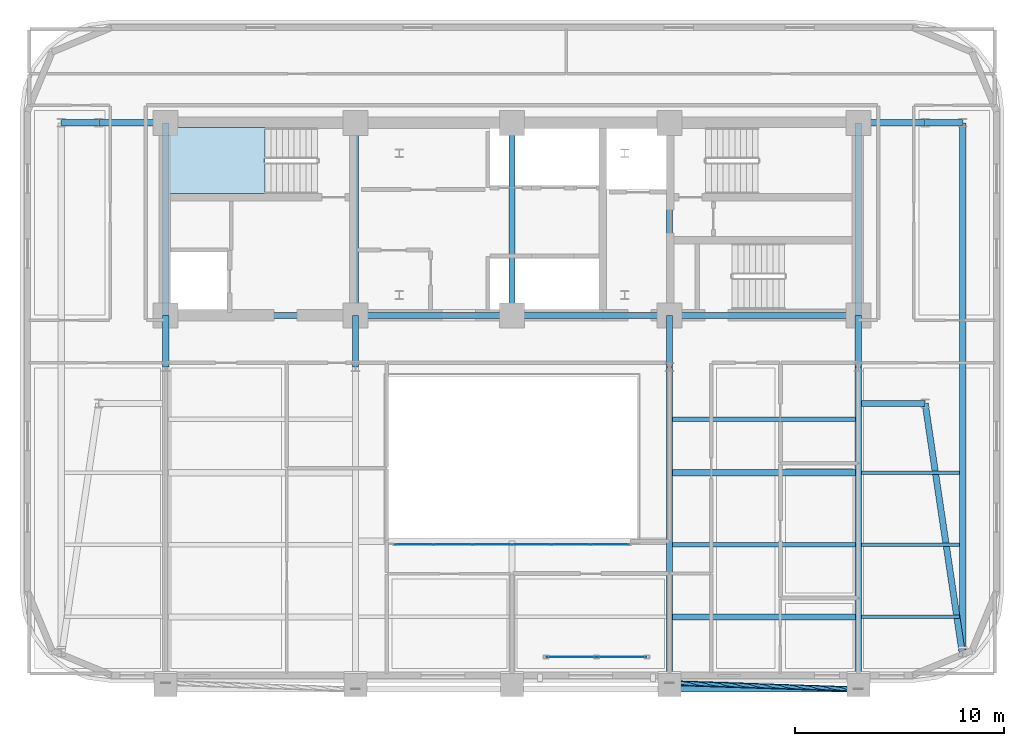
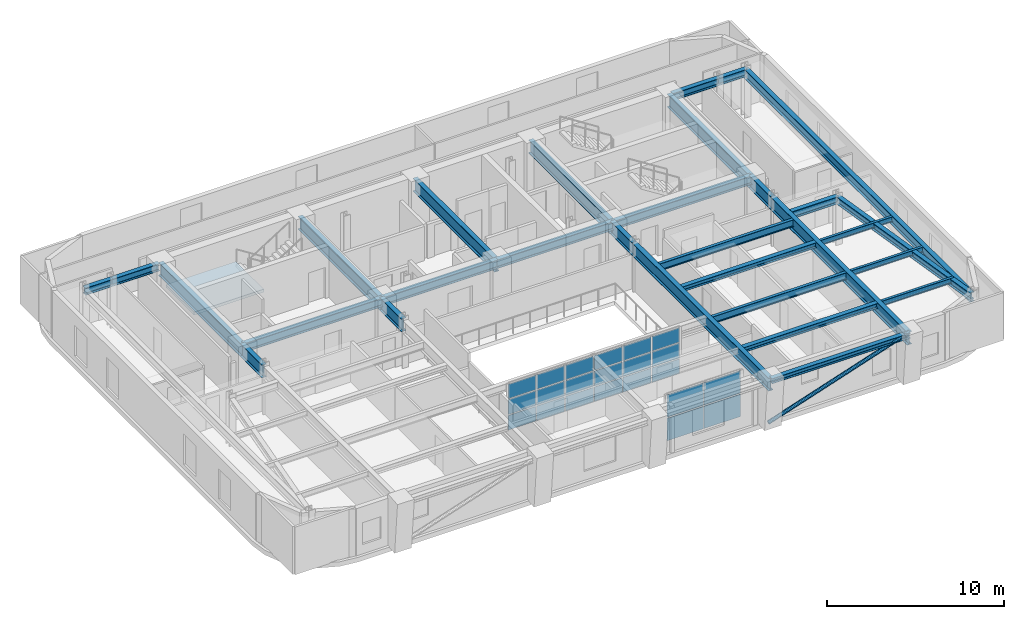
# One storey, part 3 of 13: 30 beams, 22 plates, 1 member, 1 slab, 3 elements without a shape of their own.
"""IFC4 building model written with IfcOpenShell, lengths in metres."""

from ifc_helpers import new_model, si_unit, direction, frame, origin, origin_2d, place, context, subcontext, project, spatial, polyline, rectangle, hollow_circle, i_section, outline, extrude, material, layer, layer_set, material_profile, profile_set, type_object, element, aggregate, save


model = new_model("IFC4")

# Units and contexts
model_context = context("Model", 3, precision=1e-05, world=origin(), true_north=direction((0.0, 1.0)))
body_context = subcontext(model_context, "Body", "Model", "MODEL_VIEW")
ifc_project = project(units=[si_unit("LENGTHUNIT", "METRE"), si_unit("AREAUNIT", "SQUARE_METRE"), si_unit("VOLUMEUNIT", "CUBIC_METRE"), si_unit("PLANEANGLEUNIT", "RADIAN"), si_unit("MASSUNIT", "GRAM", prefix="KILO")], contexts=[model_context])

# Site, building, storey
site_placement = place(None, origin())
site = spatial("IfcSite", under=ifc_project, at=site_placement, CompositionType="ELEMENT")
building_placement = place(site_placement, origin())
building = spatial("IfcBuilding", under=site, at=building_placement, Name="Zarnavel Station Tower", CompositionType="ELEMENT")
storey_placement = place(building_placement, frame((0.0, 0.0, 176.75)))
storey = spatial("IfcBuildingStorey", under=building, at=storey_placement, Name="L48", CompositionType="ELEMENT", Elevation=176.75)

# Member
ifc_material_1 = material(Name="Steel S355J2", Category="steel")
ifc_material_profile_1 = material_profile(ifc_material_1, hollow_circle(Radius=0.122314453125, WallThickness=0.010009765625, at=origin_2d()), Name="CHS244.5x10")
ifc_profile_set_1 = profile_set([ifc_material_profile_1], Name="Steel S355J2")
member_type = type_object("IfcMemberType", Name="DB_EXT_CHS245", PredefinedType="BRACE", material=ifc_profile_set_1)
member_placement = place(storey_placement, frame((36.35009765625, 10.2109375, 0.0), z_axis=(0.939370056938, -0.030942344867, 0.341506174795), x_axis=(0.032921607344, 0.999457936969, 0.0)))
element("IfcMember", 1, at=member_placement, inside=storey, type_object=member_type, Name="L48 Persian Exterior Diagonal Frame Brace 2", PredefinedType="BRACE", context=body_context, shape_type="SweptSolid", body=[
    extrude(hollow_circle(Radius=0.122314453125, WallThickness=0.010009765625, at=origin_2d()), origin(), (0.0, 0.0, 1.0), 9.6337890625),
])

# Beams
ifc_material_2 = material(Name="Steel S355J2", Category="steel")
ifc_material_profile_2 = material_profile(ifc_material_2, i_section(OverallWidth=0.300048828125, OverallDepth=0.360107421875, WebThickness=0.012451171875, FlangeThickness=0.0224609375, FilletRadius=0.027099609375, at=origin_2d()), Name="HEB360")
ifc_profile_set_2 = profile_set([ifc_material_profile_2], Name="Steel S355J2")
beam_type_1 = type_object("IfcBeamType", Name="EB_HEB360", PredefinedType="SPANDREL", material=ifc_profile_set_2)
beam_1_placement = place(storey_placement, frame((36.35009765625, 9.912841796875, 3.110107421875), z_axis=(1.0, 0.0, 0.0), x_axis=(0.0, 1.0, 0.0)))
element("IfcBeam", 2, at=beam_1_placement, inside=storey, type_object=beam_type_1, Name="L48 South Raked Spandrel 4", PredefinedType="SPANDREL", context=body_context, shape_type="SweptSolid", body=[
    extrude(i_section(OverallWidth=0.300048828125, OverallDepth=0.360107421875, WebThickness=0.012451171875, FlangeThickness=0.0224609375, FilletRadius=0.027099609375, at=origin_2d()), origin(), (0.0, 0.0, 1.0), 9.0498046875),
])
ifc_material_3 = material(Name="Steel S355J2", Category="steel")
ifc_material_profile_3 = material_profile(ifc_material_3, i_section(OverallWidth=0.300048828125, OverallDepth=0.35009765625, WebThickness=0.010009765625, FlangeThickness=0.017578125, FilletRadius=0.027099609375, at=origin_2d()), Name="HEA360")
ifc_profile_set_3 = profile_set([ifc_material_profile_3], Name="Steel S355J2")
beam_type_2 = type_object("IfcBeamType", Name="FB_HEA360", PredefinedType="BEAM", material=ifc_profile_set_3)
for number, where, z_axis, x_axis, name in (
    (3, (36.4951171875, 13.3701171875, 3.114990234375), (1.0, 0.0, 0.0), (0.0, 1.0, 0.0), "L48 East Bay Beam 1"),
    (4, (36.4951171875, 20.28515625, 3.114990234375), (1.0, 0.0, 0.0), (0.0, 1.0, 0.0), "L48 East Bay Beam 3"),
):
    element("IfcBeam", number, at=place(storey_placement, frame(where, z_axis=z_axis, x_axis=x_axis)), inside=storey, type_object=beam_type_2, Name=name, PredefinedType="BEAM", context=body_context, shape_type="SweptSolid", body=[
        extrude(i_section(OverallWidth=0.300048828125, OverallDepth=0.35009765625, WebThickness=0.010009765625, FlangeThickness=0.017578125, FilletRadius=0.027099609375, at=origin_2d()), origin(), (0.0, 0.0, 1.0), 8.759765625),
    ])
ifc_material_4 = material(Name="Steel S355J2", Category="steel")
ifc_material_profile_4 = material_profile(ifc_material_4, i_section(OverallWidth=0.199951171875, OverallDepth=0.5, WebThickness=0.01025390625, FlangeThickness=0.01611328125, FilletRadius=0.02099609375, at=origin_2d()), Name="IPE500")
ifc_profile_set_4 = profile_set([ifc_material_profile_4], Name="Steel S355J2")
beam_type_3 = type_object("IfcBeamType", Name="FB_IPE500", PredefinedType="BEAM", material=ifc_profile_set_4)
for number, where, z_axis, x_axis, name in (
    (5, (36.4951171875, 16.82763671875, 3.0400390625), (1.0, 0.0, 0.0), (0.0, 1.0, 0.0), "L48 East Bay Beam 2"),
    (6, (36.4951171875, 22.842529296875, 3.0400390625), (1.0, 0.0, 0.0), (0.0, 1.0, 0.0), "L48 East Bay Beam 4"),
):
    element("IfcBeam", number, at=place(storey_placement, frame(where, z_axis=z_axis, x_axis=x_axis)), inside=storey, type_object=beam_type_3, Name=name, PredefinedType="BEAM", context=body_context, shape_type="SweptSolid", body=[
        extrude(i_section(OverallWidth=0.199951171875, OverallDepth=0.5, WebThickness=0.01025390625, FlangeThickness=0.01611328125, FilletRadius=0.02099609375, at=origin_2d()), origin(), (0.0, 0.0, 1.0), 8.759765625),
    ])
ifc_material_5 = material(Name="Steel S355J2", Category="steel")
ifc_material_profile_5 = material_profile(ifc_material_5, i_section(OverallWidth=0.300048828125, OverallDepth=0.5, WebThickness=0.014404296875, FlangeThickness=0.028076171875, FilletRadius=0.027099609375, at=origin_2d()), Name="HEB500")
ifc_profile_set_5 = profile_set([ifc_material_profile_5], Name="Steel S355J2")
beam_type_4 = type_object("IfcBeamType", Name="FG_HEB500", PredefinedType="USERDEFINED", material=ifc_profile_set_5)
beam_2_placement = place(storey_placement, frame((7.199951171875, 37.050048828125, 3.0400390625), z_axis=(1.0, 0.0, 0.0), x_axis=(0.0, 1.0, 0.0)))
element("IfcBeam", 7, at=beam_2_placement, inside=storey, type_object=beam_type_4, Name="L48 West Wing North Tie 1", ObjectType="GIRDER", PredefinedType="USERDEFINED", context=body_context, shape_type="SweptSolid", body=[
    extrude(i_section(OverallWidth=0.300048828125, OverallDepth=0.5, WebThickness=0.014404296875, FlangeThickness=0.028076171875, FilletRadius=0.027099609375, at=origin_2d()), origin(), (0.0, 0.0, 1.0), 1.800048828125),
])
beam_3_placement = place(storey_placement, frame((9.0, 37.050048828125, 3.0400390625), z_axis=(1.0, 0.0, 0.0), x_axis=(0.0, 1.0, 0.0)))
element("IfcBeam", 8, at=beam_3_placement, inside=storey, type_object=beam_type_4, Name="L48 West Wing North Tie 2", ObjectType="GIRDER", PredefinedType="USERDEFINED", context=body_context, shape_type="SweptSolid", body=[
    extrude(i_section(OverallWidth=0.300048828125, OverallDepth=0.5, WebThickness=0.014404296875, FlangeThickness=0.028076171875, FilletRadius=0.027099609375, at=origin_2d()), origin(), (0.0, 0.0, 1.0), 3.054931640625),
])
for number, where, z_axis, x_axis, name in (
    (9, (45.544921875, 23.60009765625, 3.0400390625), (1.0, 0.0, 0.0), (0.0, 1.0, 0.0), "L48 East Wing South Tie 1"),
    (10, (45.544921875, 37.050048828125, 3.0400390625), (1.0, 0.0, 0.0), (0.0, 1.0, 0.0), "L48 East Wing North Tie 1"),
):
    element("IfcBeam", number, at=place(storey_placement, frame(where, z_axis=z_axis, x_axis=x_axis)), inside=storey, type_object=beam_type_4, Name=name, ObjectType="GIRDER", PredefinedType="USERDEFINED", context=body_context, shape_type="SweptSolid", body=[
        extrude(i_section(OverallWidth=0.300048828125, OverallDepth=0.5, WebThickness=0.014404296875, FlangeThickness=0.028076171875, FilletRadius=0.027099609375, at=origin_2d()), origin(), (0.0, 0.0, 1.0), 3.05517578125),
    ])
beam_4_placement = place(storey_placement, frame((48.60009765625, 23.60009765625, 3.0400390625), z_axis=(0.147057600106, -0.989127930174, 0.0), x_axis=(0.989127930174, 0.147057600106, 0.0)))
element("IfcBeam", 11, at=beam_4_placement, inside=storey, type_object=beam_type_4, Name="L48 East Wing South Tie 2", ObjectType="GIRDER", PredefinedType="USERDEFINED", context=body_context, shape_type="SweptSolid", body=[
    extrude(i_section(OverallWidth=0.300048828125, OverallDepth=0.5, WebThickness=0.014404296875, FlangeThickness=0.028076171875, FilletRadius=0.027099609375, at=origin_2d()), origin(), (0.0, 0.0, 1.0), 12.23876953125),
])
beam_5_placement = place(storey_placement, frame((48.60009765625, 37.050048828125, 3.0400390625), z_axis=(1.0, 0.0, 0.0), x_axis=(0.0, 1.0, 0.0)))
element("IfcBeam", 12, at=beam_5_placement, inside=storey, type_object=beam_type_4, Name="L48 East Wing North Tie 2", ObjectType="GIRDER", PredefinedType="USERDEFINED", context=body_context, shape_type="SweptSolid", body=[
    extrude(i_section(OverallWidth=0.300048828125, OverallDepth=0.5, WebThickness=0.014404296875, FlangeThickness=0.028076171875, FilletRadius=0.027099609375, at=origin_2d()), origin(), (0.0, 0.0, 1.0), 1.7998046875),
])
ifc_material_6 = material(Name="Steel S355J2", Category="steel")
ifc_material_profile_6 = material_profile(ifc_material_6, i_section(OverallWidth=0.300048828125, OverallDepth=0.60009765625, WebThickness=0.015380859375, FlangeThickness=0.030029296875, FilletRadius=0.027099609375, at=origin_2d()), Name="HEB600")
ifc_profile_set_6 = profile_set([ifc_material_profile_6], Name="Steel S355J2")
beam_type_5 = type_object("IfcBeamType", Name="FG_HEB600", PredefinedType="USERDEFINED", material=ifc_profile_set_6)
beam_6_placement = place(storey_placement, frame((12.199951171875, 27.820068359375, 2.989990234375), z_axis=(1.0, 0.0, 0.0), x_axis=(0.0, 1.0, 0.0)))
element("IfcBeam", 13, at=beam_6_placement, inside=storey, type_object=beam_type_5, Name="L48 Core Front Coupling Beam 1", ObjectType="GIRDER", PredefinedType="USERDEFINED", context=body_context, shape_type="SweptSolid", body=[
    extrude(i_section(OverallWidth=0.300048828125, OverallDepth=0.60009765625, WebThickness=0.015380859375, FlangeThickness=0.030029296875, FilletRadius=0.027099609375, at=origin_2d()), origin(), (0.0, 0.0, 1.0), 9.10009765625),
])
beam_7_placement = place(storey_placement, frame((21.300048828125, 27.820068359375, 2.989990234375), z_axis=(1.0, 0.0, 0.0), x_axis=(0.0, 1.0, 0.0)))
element("IfcBeam", 14, at=beam_7_placement, inside=storey, type_object=beam_type_5, Name="L48 Core Front Coupling Beam 2", ObjectType="GIRDER", PredefinedType="USERDEFINED", context=body_context, shape_type="SweptSolid", body=[
    extrude(i_section(OverallWidth=0.300048828125, OverallDepth=0.60009765625, WebThickness=0.015380859375, FlangeThickness=0.030029296875, FilletRadius=0.027099609375, at=origin_2d()), origin(), (0.0, 0.0, 1.0), 7.5),
])
beam_8_placement = place(storey_placement, frame((28.800048828125, 27.820068359375, 2.989990234375), z_axis=(1.0, 0.0, 0.0), x_axis=(0.0, 1.0, 0.0)))
element("IfcBeam", 15, at=beam_8_placement, inside=storey, type_object=beam_type_5, Name="L48 Core Front Coupling Beam 3", ObjectType="GIRDER", PredefinedType="USERDEFINED", context=body_context, shape_type="SweptSolid", body=[
    extrude(i_section(OverallWidth=0.300048828125, OverallDepth=0.60009765625, WebThickness=0.015380859375, FlangeThickness=0.030029296875, FilletRadius=0.027099609375, at=origin_2d()), origin(), (0.0, 0.0, 1.0), 7.550048828125),
])
beam_9_placement = place(storey_placement, frame((36.35009765625, 27.820068359375, 2.989990234375), z_axis=(1.0, 0.0, 0.0), x_axis=(0.0, 1.0, 0.0)))
element("IfcBeam", 16, at=beam_9_placement, inside=storey, type_object=beam_type_5, Name="L48 Core Front Coupling Beam 4", ObjectType="GIRDER", PredefinedType="USERDEFINED", context=body_context, shape_type="SweptSolid", body=[
    extrude(i_section(OverallWidth=0.300048828125, OverallDepth=0.60009765625, WebThickness=0.015380859375, FlangeThickness=0.030029296875, FilletRadius=0.027099609375, at=origin_2d()), origin(), (0.0, 0.0, 1.0), 9.0498046875),
])
ifc_material_7 = material(Name="Steel S355J2", Category="steel")
ifc_material_profile_7 = material_profile(ifc_material_7, i_section(OverallWidth=0.300048828125, OverallDepth=0.64990234375, WebThickness=0.01611328125, FlangeThickness=0.031005859375, FilletRadius=0.027099609375, at=origin_2d()), Name="HEB650")
ifc_profile_set_7 = profile_set([ifc_material_profile_7], Name="Steel S355J2")
beam_type_6 = type_object("IfcBeamType", Name="FG_HEB650", PredefinedType="USERDEFINED", material=ifc_profile_set_7)
beam_10_placement = place(storey_placement, frame((50.39990234375, 11.494384765625, 2.965087890625), z_axis=(0.0, 1.0, 0.0), x_axis=(-1.0, 0.0, 0.0)))
element("IfcBeam", 17, at=beam_10_placement, inside=storey, type_object=beam_type_6, Name="L48 Wing NS Girder 2", ObjectType="GIRDER", PredefinedType="USERDEFINED", context=body_context, shape_type="SweptSolid", body=[
    extrude(i_section(OverallWidth=0.300048828125, OverallDepth=0.64990234375, WebThickness=0.01611328125, FlangeThickness=0.031005859375, FilletRadius=0.027099609375, at=origin_2d()), origin(), (0.0, 0.0, 1.0), 25.5556640625),
])
ifc_material_8 = material(Name="Steel S355J2", Category="steel")
ifc_material_profile_8 = material_profile(ifc_material_8, i_section(OverallWidth=0.300048828125, OverallDepth=0.89990234375, WebThickness=0.0185546875, FlangeThickness=0.034912109375, FilletRadius=0.030029296875, at=origin_2d()), Name="HEB900")
ifc_profile_set_8 = profile_set([ifc_material_profile_8], Name="Steel S355J2")
beam_type_7 = type_object("IfcBeamType", Name="FG_HEB900", PredefinedType="USERDEFINED", material=ifc_profile_set_8)
for number, where, z_axis, x_axis, name in (
    (18, (12.199951171875, 25.35009765625, 2.840087890625), (0.0, 1.0, 0.0), (-1.0, 0.0, 0.0), "L48 Inner-Zone NS Girder 1"),
    (19, (21.300048828125, 25.35009765625, 2.840087890625), (0.0, 1.0, 0.0), (-1.0, 0.0, 0.0), "L48 Inner-Zone NS Girder 2"),
):
    element("IfcBeam", number, at=place(storey_placement, frame(where, z_axis=z_axis, x_axis=x_axis)), inside=storey, type_object=beam_type_7, Name=name, ObjectType="GIRDER", PredefinedType="USERDEFINED", context=body_context, shape_type="SweptSolid", body=[
        extrude(i_section(OverallWidth=0.300048828125, OverallDepth=0.89990234375, WebThickness=0.0185546875, FlangeThickness=0.034912109375, FilletRadius=0.030029296875, at=origin_2d()), origin(), (0.0, 0.0, 1.0), 2.469970703125),
    ])
beam_11_placement = place(storey_placement, frame((36.35009765625, 9.912841796875, 2.840087890625), z_axis=(0.0, 1.0, 0.0), x_axis=(-1.0, 0.0, 0.0)))
element("IfcBeam", 20, at=beam_11_placement, inside=storey, type_object=beam_type_7, Name="L48 South-Zone NS Girder 4", ObjectType="GIRDER", PredefinedType="USERDEFINED", context=body_context, shape_type="SweptSolid", body=[
    extrude(i_section(OverallWidth=0.300048828125, OverallDepth=0.89990234375, WebThickness=0.0185546875, FlangeThickness=0.034912109375, FilletRadius=0.030029296875, at=origin_2d()), origin(), (0.0, 0.0, 1.0), 15.437255859375),
])
beam_12_placement = place(storey_placement, frame((36.35009765625, 25.35009765625, 2.840087890625), z_axis=(0.0, 1.0, 0.0), x_axis=(-1.0, 0.0, 0.0)))
element("IfcBeam", 21, at=beam_12_placement, inside=storey, type_object=beam_type_7, Name="L48 Inner-Zone NS Girder 4", ObjectType="GIRDER", PredefinedType="USERDEFINED", context=body_context, shape_type="SweptSolid", body=[
    extrude(i_section(OverallWidth=0.300048828125, OverallDepth=0.89990234375, WebThickness=0.0185546875, FlangeThickness=0.034912109375, FilletRadius=0.030029296875, at=origin_2d()), origin(), (0.0, 0.0, 1.0), 2.469970703125),
])
beam_13_placement = place(storey_placement, frame((45.39990234375, 9.912841796875, 2.840087890625), z_axis=(0.0, 1.0, 0.0), x_axis=(-1.0, 0.0, 0.0)))
element("IfcBeam", 22, at=beam_13_placement, inside=storey, type_object=beam_type_7, Name="L48 South-Zone NS Girder 5", ObjectType="GIRDER", PredefinedType="USERDEFINED", context=body_context, shape_type="SweptSolid", body=[
    extrude(i_section(OverallWidth=0.300048828125, OverallDepth=0.89990234375, WebThickness=0.0185546875, FlangeThickness=0.034912109375, FilletRadius=0.030029296875, at=origin_2d()), origin(), (0.0, 0.0, 1.0), 15.437255859375),
])
beam_14_placement = place(storey_placement, frame((45.39990234375, 25.35009765625, 2.840087890625), z_axis=(0.0, 1.0, 0.0), x_axis=(-1.0, 0.0, 0.0)))
element("IfcBeam", 23, at=beam_14_placement, inside=storey, type_object=beam_type_7, Name="L48 Inner-Zone NS Girder 5", ObjectType="GIRDER", PredefinedType="USERDEFINED", context=body_context, shape_type="SweptSolid", body=[
    extrude(i_section(OverallWidth=0.300048828125, OverallDepth=0.89990234375, WebThickness=0.0185546875, FlangeThickness=0.034912109375, FilletRadius=0.030029296875, at=origin_2d()), origin(), (0.0, 0.0, 1.0), 2.469970703125),
])
ifc_material_9 = material(Name="Steel S355J2", Category="steel")
ifc_material_profile_9 = material_profile(ifc_material_9, i_section(OverallWidth=0.169921875, OverallDepth=0.360107421875, WebThickness=0.008056640625, FlangeThickness=0.0126953125, FilletRadius=0.01806640625, at=origin_2d()), Name="IPE360")
ifc_profile_set_9 = profile_set([ifc_material_profile_9], Name="Steel S355J2")
beam_type_8 = type_object("IfcBeamType", Name="FJ_IPE360", PredefinedType="JOIST", material=ifc_profile_set_9)
for number, where, z_axis, x_axis, name in (
    (24, (45.544921875, 13.3701171875, 3.110107421875), (1.0, 0.0, 0.0), (0.0, 1.0, 0.0), "L48 East Wing Joist 1"),
    (25, (45.544921875, 16.82763671875, 3.110107421875), (1.0, 0.0, 0.0), (0.0, 1.0, 0.0), "L48 East Wing Joist 2"),
    (26, (45.544921875, 20.28515625, 3.110107421875), (1.0, 0.0, 0.0), (0.0, 1.0, 0.0), "L48 East Wing Joist 3"),
):
    element("IfcBeam", number, at=place(storey_placement, frame(where, z_axis=z_axis, x_axis=x_axis)), inside=storey, type_object=beam_type_8, Name=name, PredefinedType="JOIST", context=body_context, shape_type="SweptSolid", body=[
        extrude(i_section(OverallWidth=0.169921875, OverallDepth=0.360107421875, WebThickness=0.008056640625, FlangeThickness=0.0126953125, FilletRadius=0.01806640625, at=origin_2d()), origin(), (0.0, 0.0, 1.0), 4.7099609375),
    ])
ifc_material_10 = material(Name="Steel S460M", Category="steel")
ifc_material_profile_10 = material_profile(ifc_material_10, i_section(OverallWidth=0.302001953125, OverallDepth=0.909912109375, WebThickness=0.02099609375, FlangeThickness=0.0400390625, FilletRadius=0.030029296875, at=origin_2d()), Name="HEM900")
ifc_profile_set_10 = profile_set([ifc_material_profile_10], Name="Steel S460M")
beam_type_9 = type_object("IfcBeamType", Name="TG_HEM900", PredefinedType="USERDEFINED", material=ifc_profile_set_10)
for number, where, z_axis, x_axis, name in (
    (27, (12.199951171875, 27.820068359375, 2.8349609375), (0.0, 1.0, 0.0), (-1.0, 0.0, 0.0), "L48 Core Spine Coupling Girder 1"),
    (28, (21.300048828125, 27.820068359375, 2.8349609375), (0.0, 1.0, 0.0), (-1.0, 0.0, 0.0), "L48 Core Spine Coupling Girder 2"),
    (29, (28.800048828125, 27.820068359375, 2.8349609375), (0.0, 1.0, 0.0), (-1.0, 0.0, 0.0), "L48 Core Spine Coupling Girder 3"),
    (30, (36.35009765625, 27.820068359375, 2.8349609375), (0.0, 1.0, 0.0), (-1.0, 0.0, 0.0), "L48 Core Spine Coupling Girder 4"),
    (31, (45.39990234375, 27.820068359375, 2.8349609375), (0.0, 1.0, 0.0), (-1.0, 0.0, 0.0), "L48 Core Spine Coupling Girder 5"),
):
    element("IfcBeam", number, at=place(storey_placement, frame(where, z_axis=z_axis, x_axis=x_axis)), inside=storey, type_object=beam_type_9, Name=name, ObjectType="GIRDER", PredefinedType="USERDEFINED", context=body_context, shape_type="SweptSolid", body=[
        extrude(i_section(OverallWidth=0.302001953125, OverallDepth=0.909912109375, WebThickness=0.02099609375, FlangeThickness=0.0400390625, FilletRadius=0.030029296875, at=origin_2d()), origin(), (0.0, 0.0, 1.0), 9.22998046875),
    ])

# Curtain wall, plates
ifc_material_11 = material(Name="Aluminium Dark Anodised and Solar-Control Glass", Category="aluminium")
ifc_layer_1 = layer(ifc_material_11, 0.179931640625)
ifc_layer_set_1 = layer_set([ifc_layer_1], Name="CWS4")
curtain_wall_type_1 = type_object("IfcCurtainWallType", Name="CWS4", PredefinedType="NOTDEFINED", material=ifc_layer_set_1)
curtain_wall_1_placement = place(storey_placement, origin())
curtain_wall_1 = element("IfcCurtainWall", 32, at=curtain_wall_1_placement, inside=storey, type_object=curtain_wall_type_1, Name="L48 Curtain Wall CWS4-L48-AS", PredefinedType="NOTDEFINED")
ifc_material_12 = material(Name="Double Low-E Dark Solar-Control Glass", Category="glass")
ifc_layer_2 = layer(ifc_material_12, 0.031982421875)
ifc_layer_set_2 = layer_set([ifc_layer_2], Name="CWS4_PNL")
plate_type_1 = type_object("IfcPlateType", Name="CWS4_PNL", PredefinedType="CURTAIN_PANEL", material=ifc_layer_set_2)
plate_1_placement = place(storey_placement, frame((24.106689453125, 16.85009765625, 0.06005859375), z_axis=(0.0, 0.0, 1.0), x_axis=(1.0, 0.0, 0.0)))
plate_1 = element("IfcPlate", 33, at=plate_1_placement, type_object=plate_type_1, Name="CW4 panel 1.1", PredefinedType="CURTAIN_PANEL", context=body_context, shape_type="SweptSolid", body=[
    extrude(rectangle(XDim=1.793212890625, YDim=0.028076171875, at=origin_2d()), origin(), (0.0, 0.0, 1.0), 1.006591796875),
])
plate_2_placement = place(storey_placement, frame((24.106689453125, 16.85009765625, 1.126708984375), z_axis=(0.0, 0.0, 1.0), x_axis=(1.0, 0.0, 0.0)))
plate_2 = element("IfcPlate", 34, at=plate_2_placement, type_object=plate_type_1, Name="CW4 panel 1.2", PredefinedType="CURTAIN_PANEL", context=body_context, shape_type="SweptSolid", body=[
    extrude(rectangle(XDim=1.793212890625, YDim=0.028076171875, at=origin_2d()), origin(), (0.0, 0.0, 1.0), 1.03662109375),
])
plate_3_placement = place(storey_placement, frame((24.106689453125, 16.85009765625, 2.22314453125), z_axis=(0.0, 0.0, 1.0), x_axis=(1.0, 0.0, 0.0)))
plate_3 = element("IfcPlate", 35, at=plate_3_placement, type_object=plate_type_1, Name="CW4 panel 1.3", PredefinedType="CURTAIN_PANEL", context=body_context, shape_type="SweptSolid", body=[
    extrude(rectangle(XDim=1.793212890625, YDim=0.028076171875, at=origin_2d()), origin(), (0.0, 0.0, 1.0), 1.006591796875),
])
plate_4_placement = place(storey_placement, frame((25.97509765625, 16.85009765625, 0.06005859375), z_axis=(0.0, 0.0, 1.0), x_axis=(1.0, 0.0, 0.0)))
plate_4 = element("IfcPlate", 36, at=plate_4_placement, type_object=plate_type_1, Name="CW4 panel 2.1", PredefinedType="CURTAIN_PANEL", context=body_context, shape_type="SweptSolid", body=[
    extrude(rectangle(XDim=1.8232421875, YDim=0.028076171875, at=origin_2d()), origin(), (0.0, 0.0, 1.0), 1.006591796875),
])
plate_5_placement = place(storey_placement, frame((25.97509765625, 16.85009765625, 1.126708984375), z_axis=(0.0, 0.0, 1.0), x_axis=(1.0, 0.0, 0.0)))
plate_5 = element("IfcPlate", 37, at=plate_5_placement, type_object=plate_type_1, Name="CW4 panel 2.2", PredefinedType="CURTAIN_PANEL", context=body_context, shape_type="SweptSolid", body=[
    extrude(rectangle(XDim=1.8232421875, YDim=0.028076171875, at=origin_2d()), origin(), (0.0, 0.0, 1.0), 1.03662109375),
])
plate_6_placement = place(storey_placement, frame((25.97509765625, 16.85009765625, 2.22314453125), z_axis=(0.0, 0.0, 1.0), x_axis=(1.0, 0.0, 0.0)))
plate_6 = element("IfcPlate", 38, at=plate_6_placement, type_object=plate_type_1, Name="CW4 panel 2.3", PredefinedType="CURTAIN_PANEL", context=body_context, shape_type="SweptSolid", body=[
    extrude(rectangle(XDim=1.8232421875, YDim=0.028076171875, at=origin_2d()), origin(), (0.0, 0.0, 1.0), 1.006591796875),
])
plate_7_placement = place(storey_placement, frame((27.8583984375, 16.85009765625, 0.06005859375), z_axis=(0.0, 0.0, 1.0), x_axis=(1.0, 0.0, 0.0)))
plate_7 = element("IfcPlate", 39, at=plate_7_placement, type_object=plate_type_1, Name="CW4 panel 3.1", PredefinedType="CURTAIN_PANEL", context=body_context, shape_type="SweptSolid", body=[
    extrude(rectangle(XDim=1.8232421875, YDim=0.028076171875, at=origin_2d()), origin(), (0.0, 0.0, 1.0), 1.006591796875),
])
plate_8_placement = place(storey_placement, frame((27.8583984375, 16.85009765625, 1.126708984375), z_axis=(0.0, 0.0, 1.0), x_axis=(1.0, 0.0, 0.0)))
plate_8 = element("IfcPlate", 40, at=plate_8_placement, type_object=plate_type_1, Name="CW4 panel 3.2", PredefinedType="CURTAIN_PANEL", context=body_context, shape_type="SweptSolid", body=[
    extrude(rectangle(XDim=1.8232421875, YDim=0.028076171875, at=origin_2d()), origin(), (0.0, 0.0, 1.0), 1.03662109375),
])
plate_9_placement = place(storey_placement, frame((27.8583984375, 16.85009765625, 2.22314453125), z_axis=(0.0, 0.0, 1.0), x_axis=(1.0, 0.0, 0.0)))
plate_9 = element("IfcPlate", 41, at=plate_9_placement, type_object=plate_type_1, Name="CW4 panel 3.3", PredefinedType="CURTAIN_PANEL", context=body_context, shape_type="SweptSolid", body=[
    extrude(rectangle(XDim=1.8232421875, YDim=0.028076171875, at=origin_2d()), origin(), (0.0, 0.0, 1.0), 1.006591796875),
])
plate_10_placement = place(storey_placement, frame((29.74169921875, 16.85009765625, 0.06005859375), z_axis=(0.0, 0.0, 1.0), x_axis=(1.0, 0.0, 0.0)))
plate_10 = element("IfcPlate", 42, at=plate_10_placement, type_object=plate_type_1, Name="CW4 panel 4.1", PredefinedType="CURTAIN_PANEL", context=body_context, shape_type="SweptSolid", body=[
    extrude(rectangle(XDim=1.8232421875, YDim=0.028076171875, at=origin_2d()), origin(), (0.0, 0.0, 1.0), 1.006591796875),
])
plate_11_placement = place(storey_placement, frame((29.74169921875, 16.85009765625, 1.126708984375), z_axis=(0.0, 0.0, 1.0), x_axis=(1.0, 0.0, 0.0)))
plate_11 = element("IfcPlate", 43, at=plate_11_placement, type_object=plate_type_1, Name="CW4 panel 4.2", PredefinedType="CURTAIN_PANEL", context=body_context, shape_type="SweptSolid", body=[
    extrude(rectangle(XDim=1.8232421875, YDim=0.028076171875, at=origin_2d()), origin(), (0.0, 0.0, 1.0), 1.03662109375),
])
plate_12_placement = place(storey_placement, frame((29.74169921875, 16.85009765625, 2.22314453125), z_axis=(0.0, 0.0, 1.0), x_axis=(1.0, 0.0, 0.0)))
plate_12 = element("IfcPlate", 44, at=plate_12_placement, type_object=plate_type_1, Name="CW4 panel 4.3", PredefinedType="CURTAIN_PANEL", context=body_context, shape_type="SweptSolid", body=[
    extrude(rectangle(XDim=1.8232421875, YDim=0.028076171875, at=origin_2d()), origin(), (0.0, 0.0, 1.0), 1.006591796875),
])
plate_13_placement = place(storey_placement, frame((31.625, 16.85009765625, 0.06005859375), z_axis=(0.0, 0.0, 1.0), x_axis=(1.0, 0.0, 0.0)))
plate_13 = element("IfcPlate", 45, at=plate_13_placement, type_object=plate_type_1, Name="CW4 panel 5.1", PredefinedType="CURTAIN_PANEL", context=body_context, shape_type="SweptSolid", body=[
    extrude(rectangle(XDim=1.8232421875, YDim=0.028076171875, at=origin_2d()), origin(), (0.0, 0.0, 1.0), 1.006591796875),
])
plate_14_placement = place(storey_placement, frame((31.625, 16.85009765625, 1.126708984375), z_axis=(0.0, 0.0, 1.0), x_axis=(1.0, 0.0, 0.0)))
plate_14 = element("IfcPlate", 46, at=plate_14_placement, type_object=plate_type_1, Name="CW4 panel 5.2", PredefinedType="CURTAIN_PANEL", context=body_context, shape_type="SweptSolid", body=[
    extrude(rectangle(XDim=1.8232421875, YDim=0.028076171875, at=origin_2d()), origin(), (0.0, 0.0, 1.0), 1.03662109375),
])
plate_15_placement = place(storey_placement, frame((31.625, 16.85009765625, 2.22314453125), z_axis=(0.0, 0.0, 1.0), x_axis=(1.0, 0.0, 0.0)))
plate_15 = element("IfcPlate", 47, at=plate_15_placement, type_object=plate_type_1, Name="CW4 panel 5.3", PredefinedType="CURTAIN_PANEL", context=body_context, shape_type="SweptSolid", body=[
    extrude(rectangle(XDim=1.8232421875, YDim=0.028076171875, at=origin_2d()), origin(), (0.0, 0.0, 1.0), 1.006591796875),
])
plate_16_placement = place(storey_placement, frame((33.493408203125, 16.85009765625, 0.06005859375), z_axis=(0.0, 0.0, 1.0), x_axis=(1.0, 0.0, 0.0)))
plate_16 = element("IfcPlate", 48, at=plate_16_placement, type_object=plate_type_1, Name="CW4 panel 6.1", PredefinedType="CURTAIN_PANEL", context=body_context, shape_type="SweptSolid", body=[
    extrude(rectangle(XDim=1.793212890625, YDim=0.028076171875, at=origin_2d()), origin(), (0.0, 0.0, 1.0), 1.006591796875),
])
plate_17_placement = place(storey_placement, frame((33.493408203125, 16.85009765625, 1.126708984375), z_axis=(0.0, 0.0, 1.0), x_axis=(1.0, 0.0, 0.0)))
plate_17 = element("IfcPlate", 49, at=plate_17_placement, type_object=plate_type_1, Name="CW4 panel 6.2", PredefinedType="CURTAIN_PANEL", context=body_context, shape_type="SweptSolid", body=[
    extrude(rectangle(XDim=1.793212890625, YDim=0.028076171875, at=origin_2d()), origin(), (0.0, 0.0, 1.0), 1.03662109375),
])
plate_18_placement = place(storey_placement, frame((33.493408203125, 16.85009765625, 2.22314453125), z_axis=(0.0, 0.0, 1.0), x_axis=(1.0, 0.0, 0.0)))
plate_18 = element("IfcPlate", 50, at=plate_18_placement, type_object=plate_type_1, Name="CW4 panel 6.3", PredefinedType="CURTAIN_PANEL", context=body_context, shape_type="SweptSolid", body=[
    extrude(rectangle(XDim=1.793212890625, YDim=0.028076171875, at=origin_2d()), origin(), (0.0, 0.0, 1.0), 1.006591796875),
])
aggregate(curtain_wall_1, [plate_1, plate_2, plate_3, plate_4, plate_5, plate_6, plate_7, plate_8, plate_9, plate_10, plate_11, plate_12, plate_13, plate_14, plate_15, plate_16, plate_17, plate_18])

ifc_material_13 = material(Name="Aluminium Dark Anodised and Solar-Control Glass", Category="aluminium")
ifc_layer_3 = layer(ifc_material_13, 0.179931640625)
ifc_layer_set_3 = layer_set([ifc_layer_3], Name="CWS6")
curtain_wall_type_2 = type_object("IfcCurtainWallType", Name="CWS6", PredefinedType="NOTDEFINED", material=ifc_layer_set_3)
curtain_wall_2_placement = place(storey_placement, origin())
curtain_wall_2 = element("IfcCurtainWall", 51, at=curtain_wall_2_placement, inside=storey, type_object=curtain_wall_type_2, Name="L48 Curtain Wall CWS6-LOG-L48", PredefinedType="NOTDEFINED")
ifc_material_14 = material(Name="Double Low-E Dark Solar-Control Glass", Category="glass")
ifc_layer_4 = layer(ifc_material_14, 0.0380859375)
ifc_layer_set_4 = layer_set([ifc_layer_4], Name="CWS6_PNL")
plate_type_2 = type_object("IfcPlateType", Name="CWS6_PNL", PredefinedType="CURTAIN_PANEL", material=ifc_layer_set_4)
plate_19_placement = place(storey_placement, frame((31.639892578125, 11.449951171875, 0.06005859375), z_axis=(0.0, 0.0, 1.0), x_axis=(1.0, 0.0, 0.0)))
plate_19 = element("IfcPlate", 52, at=plate_19_placement, type_object=plate_type_2, Name="CW6 panel 1.1", PredefinedType="CURTAIN_PANEL", context=body_context, shape_type="SweptSolid", body=[
    extrude(rectangle(XDim=2.360107421875, YDim=0.028076171875, at=origin_2d()), origin(), (0.0, 0.0, 1.0), 1.554931640625),
])
plate_20_placement = place(storey_placement, frame((31.639892578125, 11.449951171875, 1.6748046875), z_axis=(0.0, 0.0, 1.0), x_axis=(1.0, 0.0, 0.0)))
plate_20 = element("IfcPlate", 53, at=plate_20_placement, type_object=plate_type_2, Name="CW6 panel 1.2", PredefinedType="CURTAIN_PANEL", context=body_context, shape_type="SweptSolid", body=[
    extrude(rectangle(XDim=2.360107421875, YDim=0.028076171875, at=origin_2d()), origin(), (0.0, 0.0, 1.0), 1.554931640625),
])
plate_21_placement = place(storey_placement, frame((34.06005859375, 11.449951171875, 0.06005859375), z_axis=(0.0, 0.0, 1.0), x_axis=(1.0, 0.0, 0.0)))
plate_21 = element("IfcPlate", 54, at=plate_21_placement, type_object=plate_type_2, Name="CW6 panel 2.1", PredefinedType="CURTAIN_PANEL", context=body_context, shape_type="SweptSolid", body=[
    extrude(rectangle(XDim=2.360107421875, YDim=0.028076171875, at=origin_2d()), origin(), (0.0, 0.0, 1.0), 1.554931640625),
])
plate_22_placement = place(storey_placement, frame((34.06005859375, 11.449951171875, 1.6748046875), z_axis=(0.0, 0.0, 1.0), x_axis=(1.0, 0.0, 0.0)))
plate_22 = element("IfcPlate", 55, at=plate_22_placement, type_object=plate_type_2, Name="CW6 panel 2.2", PredefinedType="CURTAIN_PANEL", context=body_context, shape_type="SweptSolid", body=[
    extrude(rectangle(XDim=2.360107421875, YDim=0.028076171875, at=origin_2d()), origin(), (0.0, 0.0, 1.0), 1.554931640625),
])
aggregate(curtain_wall_2, [plate_19, plate_20, plate_21, plate_22])

# Stair, slab
ifc_material_15 = material(Name="Concrete C45/55", Category="concrete")
stair_type = type_object("IfcStairType", Name="ST_CORE_150", PredefinedType="HALF_TURN_STAIR", material=ifc_material_15)
stair_placement = place(storey_placement, origin())
stair = element("IfcStair", 56, at=stair_placement, inside=storey, type_object=stair_type, Name="L48 Core Exit Stair ST1", PredefinedType="HALF_TURN_STAIR")
ifc_material_16 = material(Name="Concrete C45/55", Category="concrete")
ifc_layer_5 = layer(ifc_material_16, 0.199951171875)
ifc_layer_set_5 = layer_set([ifc_layer_5], Name="SL_STAIR_LAND_200")
slab_type = type_object("IfcSlabType", Name="SL_STAIR_LAND_200", PredefinedType="LANDING", material=ifc_layer_set_5)
slab_placement = place(storey_placement, frame((0.0, 0.0, 1.574951171875)))
slab = element("IfcSlab", 57, at=slab_placement, type_object=slab_type, Name="ST1 landing 1", PredefinedType="LANDING", context=body_context, shape_type="SweptSolid", body=[
    extrude(outline(polyline([(16.9599609375, 36.820068359375), (12.39990234375, 36.820068359375), (12.39990234375, 33.659912109375), (16.9599609375, 33.659912109375), (16.9599609375, 36.820068359375)])), origin(), (0.0, 0.0, 1.0), 0.199951171875),
])
aggregate(stair, [slab])

save(model, "model.ifc")
